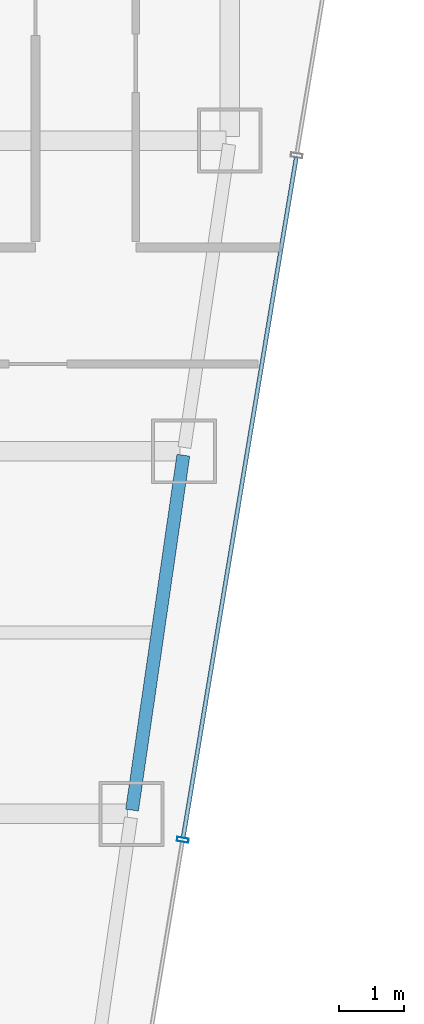
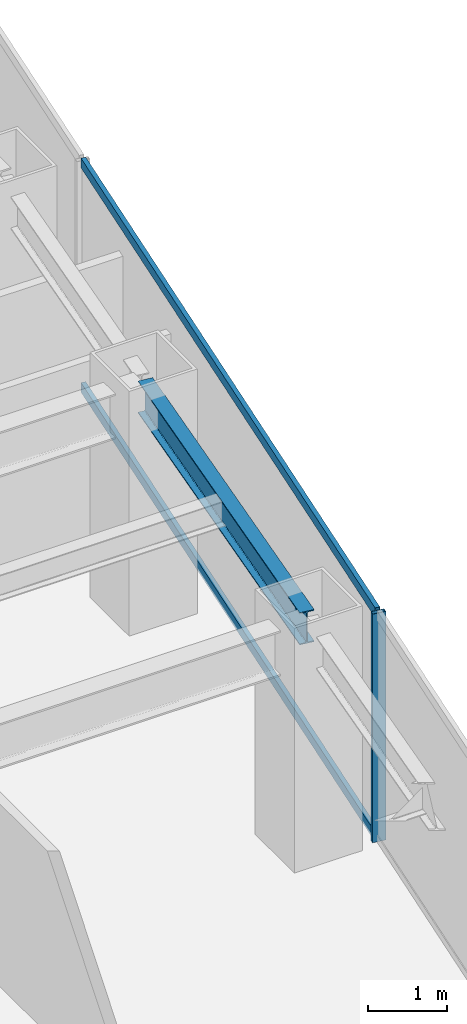
# One storey, part 19 of 38: 3 members, 1 beam, 1 element without a shape of its own.
"""IFC4 building model written with IfcOpenShell, lengths in metres."""

import ifcopenshell
import ifcopenshell.guid

model = None  # the IFC model being written
_history = None  # IfcOwnerHistory: only IFC2X3 demands one
_inside = {}  # id of a spatial element -> (the spatial element, [elements in it])
_under = {}  # id of a project, library or spatial element -> (it, [spatial elements below it])
_declared = {}  # id of a project -> (the project, [libraries it declares])
_typed = {}  # id of a type object -> (the type object, [elements of that type])
_made_of = {}  # id of a material, layer set ... -> (it, [elements and type objects made of it])


def new_model(schema):
    """Start an empty IFC model of exactly this schema.

    Asked for "IFC4X3", IfcOpenShell would pick the latest addendum, in which some entities
    have other attributes; the version numbers below select the first issue.
    IFC2X3 requires an IfcOwnerHistory on every rooted entity: one is made here for all.
    """
    global model, _history
    if schema == "IFC4X3":
        model = ifcopenshell.file(schema_version=(4, 3, 0, 0))
    else:
        model = ifcopenshell.file(schema=schema)
    _inside.clear()
    _under.clear()
    _declared.clear()
    _typed.clear()
    _made_of.clear()
    _history = None
    if model.schema == "IFC2X3":
        org = make("IfcOrganization", Name="unknown")
        user = make(
            "IfcPersonAndOrganization",
            ThePerson=make("IfcPerson", FamilyName="unknown"),
            TheOrganization=org,
        )
        app = make(
            "IfcApplication",
            ApplicationDeveloper=org,
            Version="unknown",
            ApplicationFullName="unknown",
            ApplicationIdentifier="unknown",
        )
        _history = make(
            "IfcOwnerHistory",
            OwningUser=user,
            OwningApplication=app,
            ChangeAction="ADDED",
            CreationDate=0,
        )
    return model


def make(cls, **values):
    """One entity of the class cls with the attributes given. An attribute that is None is left unset."""
    return model.create_entity(
        cls, **{name: value for name, value in values.items() if value is not None}
    )


def rooted(cls, **values):
    """An entity with a GlobalId (a new one), such as an element, a storey or a relation."""
    return make(cls, GlobalId=ifcopenshell.guid.new(), OwnerHistory=_history, **values)


def si_unit(unit_type, name, prefix=None):
    """IfcSIUnit, for example si_unit("LENGTHUNIT", "METRE", prefix="MILLI")."""
    return make("IfcSIUnit", UnitType=unit_type, Prefix=prefix, Name=name)


def assignment(units):
    """IfcUnitAssignment: the units of a project."""
    return None if units is None else make("IfcUnitAssignment", Units=units)


def point(xyz):
    """IfcCartesianPoint."""
    return None if xyz is None else make("IfcCartesianPoint", Coordinates=xyz)


def direction(xyz):
    """IfcDirection."""
    return None if xyz is None else make("IfcDirection", DirectionRatios=xyz)


def frame(location, z_axis=None, x_axis=None):
    """IfcAxis2Placement3D, a coordinate frame: its origin and axes. An axis left out is left unset."""
    return make(
        "IfcAxis2Placement3D",
        Location=point(location),
        Axis=direction(z_axis),
        RefDirection=direction(x_axis),
    )


def frame_2d(location, x_axis=None):
    """IfcAxis2Placement2D, a coordinate frame in the plane: its origin and x axis."""
    return make(
        "IfcAxis2Placement2D", Location=point(location), RefDirection=direction(x_axis)
    )


def origin():
    """The frame at (0, 0, 0) with its axes left unset."""
    return frame((0.0, 0.0, 0.0))


def origin_2d():
    """The frame at (0, 0) in the plane with its x axis left unset."""
    return frame_2d((0.0, 0.0))


def place(relative_to, where):
    """IfcLocalPlacement: puts the frame where relative to a parent placement (None: the world)."""
    return make(
        "IfcLocalPlacement", PlacementRelTo=relative_to, RelativePlacement=where
    )


def context(
    kind, dimensions, precision=None, world=None, true_north=None, identifier=None
):
    """IfcGeometricRepresentationContext, for example the 3D "Model" context."""
    return make(
        "IfcGeometricRepresentationContext",
        ContextIdentifier=identifier,
        ContextType=kind,
        CoordinateSpaceDimension=dimensions,
        Precision=precision,
        WorldCoordinateSystem=world,
        TrueNorth=true_north,
    )


def subcontext(parent, identifier, kind, view, scale=None):
    """IfcGeometricRepresentationSubContext, for example "Body" below "Model"."""
    return make(
        "IfcGeometricRepresentationSubContext",
        ContextIdentifier=identifier,
        ContextType=kind,
        ParentContext=parent,
        TargetScale=scale,
        TargetView=view,
    )


def project(units=None, contexts=None):
    """IfcProject with its units and contexts."""
    return rooted(
        "IfcProject",
        Name="project",
        RepresentationContexts=contexts,
        UnitsInContext=assignment(units),
    )


def spatial(cls, under=None, at=None, **own):
    """A site, building, storey or space (cls), placed at a placement, below another one or the project."""
    s = rooted(cls, ObjectPlacement=at, **own)
    if under is not None:
        _under.setdefault(under.id(), (under, []))[1].append(s)
    return s


def profile(cls, at=None, kind="AREA", **sizes):
    """A parametric profile (cls). Its sizes go by their IFC names, for example OverallWidth=200.0."""
    return make(cls, ProfileType=kind, Position=at, **sizes)


def hollow_rectangle(**sizes):
    """IfcRectangleHollowProfileDef."""
    return profile("IfcRectangleHollowProfileDef", **sizes)


def i_section(**sizes):
    """IfcIShapeProfileDef."""
    return profile("IfcIShapeProfileDef", **sizes)


def extrude(swept, where, along, depth):
    """IfcExtrudedAreaSolid: the profile swept, set in the frame where, extruded along a direction by depth."""
    return make(
        "IfcExtrudedAreaSolid",
        SweptArea=swept,
        Position=where,
        ExtrudedDirection=direction(along),
        Depth=depth,
    )


def shape(context_of_items, identifier, shape_type, items):
    """IfcShapeRepresentation: the items that make up one representation, for example the "Body"."""
    return make(
        "IfcShapeRepresentation",
        ContextOfItems=context_of_items,
        RepresentationIdentifier=identifier,
        RepresentationType=shape_type,
        Items=items,
    )


def material(Name=None, Category=None):
    """IfcMaterial."""
    return make("IfcMaterial", Name=Name, Category=Category)


def material_profile(
    of_material, cross_section, Name=None, Category=None, Priority=None
):
    """IfcMaterialProfile: a cross section and its material."""
    return make(
        "IfcMaterialProfile",
        Name=Name,
        Material=of_material,
        Profile=cross_section,
        Priority=Priority,
        Category=Category,
    )


def profile_set(profiles, Name=None, composite=None):
    """IfcMaterialProfileSet."""
    return make(
        "IfcMaterialProfileSet",
        Name=Name,
        MaterialProfiles=profiles,
        CompositeProfile=composite,
    )


def made_of(thing, what):
    """Note that an element or type object is made of a material, layer set ...; save() writes the relation."""
    if what is not None:
        _made_of.setdefault(what.id(), (what, []))[1].append(thing)
    return thing


def type_object(cls, material=None, **own):
    """A type object (cls), such as IfcWallType, which elements share."""
    return made_of(rooted(cls, **own), material)


def element(
    cls,
    number,
    at=None,
    inside=None,
    cuts=None,
    type_object=None,
    material=None,
    context=None,
    identifier="Body",
    shape_type=None,
    held_by="IfcProductDefinitionShape",
    body=None,
    shapes=None,
    **own,
):
    """One element of the class cls, such as IfcWall. Its Tag is "e" and its number.

    at: its placement. inside: the storey or other place that contains it. cuts: it is an
    opening in that element (IfcRelVoidsElement). A single representation is given by context,
    identifier, shape_type and body (its items); several are given by shapes. held_by: the class
    of the entity that holds the representations. save() writes the other relations.
    """
    e = rooted(cls, Tag="e%d" % number, ObjectPlacement=at, **own)
    if body is not None:
        shapes = [shape(context, identifier, shape_type, body)]
    if shapes is not None:
        e.Representation = make(held_by, Representations=shapes)
    if inside is not None:
        _inside.setdefault(inside.id(), (inside, []))[1].append(e)
    if cuts is not None:
        rooted(
            "IfcRelVoidsElement", RelatingBuildingElement=cuts, RelatedOpeningElement=e
        )
    if type_object is not None:
        _typed.setdefault(type_object.id(), (type_object, []))[1].append(e)
    return made_of(e, material)


def aggregate(whole, parts):
    """IfcRelAggregates: a whole, such as a stair, and the parts it consists of."""
    return rooted("IfcRelAggregates", RelatingObject=whole, RelatedObjects=parts)


def save(model, path):
    """Write the relations noted so far, then the file.

    IfcRelAggregates (storeys below a building ...), IfcRelContainedInSpatialStructure (elements
    in a storey), IfcRelDefinesByType, IfcRelAssociatesMaterial and IfcRelDeclares: one each for
    every whole, place, type object, material and project.
    """
    for whole, parts in _under.values():
        aggregate(whole, parts)
    for where, things in _inside.values():
        rooted(
            "IfcRelContainedInSpatialStructure",
            RelatedElements=things,
            RelatingStructure=where,
        )
    for kind, things in _typed.values():
        rooted("IfcRelDefinesByType", RelatedObjects=things, RelatingType=kind)
    for what, things in _made_of.values():
        rooted("IfcRelAssociatesMaterial", RelatedObjects=things, RelatingMaterial=what)
    for by, libraries in _declared.values():
        rooted("IfcRelDeclares", RelatingContext=by, RelatedDefinitions=libraries)
    model.write(path)


model = new_model("IFC4")

# Units and contexts
model_context = context("Model", 3, precision=1e-05, world=origin(), true_north=direction((0.0, 1.0)))
body_context = subcontext(model_context, "Body", "Model", "MODEL_VIEW")
ifc_project = project(units=[si_unit("LENGTHUNIT", "METRE"), si_unit("AREAUNIT", "SQUARE_METRE"), si_unit("VOLUMEUNIT", "CUBIC_METRE"), si_unit("PLANEANGLEUNIT", "RADIAN"), si_unit("MASSUNIT", "GRAM", prefix="KILO")], contexts=[model_context])

# Site, building, storey
site_placement = place(None, origin())
site = spatial("IfcSite", under=ifc_project, at=site_placement, CompositionType="ELEMENT")
building_placement = place(site_placement, origin())
building = spatial("IfcBuilding", under=site, at=building_placement, Name="Saevonmaru Cultural Tower", CompositionType="ELEMENT")
storey_placement = place(building_placement, frame((0.0, 0.0, 133.39990234375)))
storey = spatial("IfcBuildingStorey", under=building, at=storey_placement, Name="L28", CompositionType="ELEMENT", Elevation=133.39990234375)

# Beam
ifc_material_1 = material(Name="Steel SM355", Category="steel")
ifc_material_profile_1 = material_profile(ifc_material_1, i_section(OverallWidth=0.199951171875, OverallDepth=0.5, WebThickness=0.010009765625, FlangeThickness=0.01611328125, FilletRadius=0.02001953125, at=origin_2d()), Name="H-500x200x10x16")
ifc_profile_set_1 = profile_set([ifc_material_profile_1], Name="Steel SM355")
beam_type = type_object("IfcBeamType", Name="BM-SP-H500", PredefinedType="SPANDREL", material=ifc_profile_set_1)
beam_placement = place(storey_placement, frame((51.691650390625, 32.059326171875, 3.300048828125), z_axis=(0.142964121327, 0.989727871697, 0.0), x_axis=(-0.989727871697, 0.142964121327, 0.0)))
element("IfcBeam", 1, at=beam_placement, inside=storey, type_object=beam_type, Name="L28 East Splayed Spandrel 4", PredefinedType="SPANDREL", context=body_context, shape_type="SweptSolid", body=[
    extrude(i_section(OverallWidth=0.199951171875, OverallDepth=0.5, WebThickness=0.010009765625, FlangeThickness=0.01611328125, FilletRadius=0.02001953125, at=origin_2d()), origin(), (0.0, 0.0, 1.0), 5.5380859375),
])

# Curtain wall, members
ifc_material_2 = material(Name="Satin Bronze Anodised Aluminium", Category="aluminium")
curtain_wall_type = type_object("IfcCurtainWallType", Name="CW-TYP-A", PredefinedType="NOTDEFINED", material=ifc_material_2)
curtain_wall_placement = place(storey_placement, origin())
curtain_wall = element("IfcCurtainWall", 2, at=curtain_wall_placement, inside=storey, type_object=curtain_wall_type, Name="L28 Unitised Curtain Wall E8", PredefinedType="NOTDEFINED")
ifc_material_profile_2 = material_profile(ifc_material_2, hollow_rectangle(XDim=0.06494140625, YDim=0.179931640625, WallThickness=0.00390625, at=origin_2d()), Name="ALU-MULL-180x65x4")
ifc_profile_set_2 = profile_set([ifc_material_profile_2], Name="Satin Bronze Anodised Aluminium")
member_type_1 = type_object("IfcMemberType", Name="ML-CW-180x65", PredefinedType="MULLION", material=ifc_profile_set_2)
member_1_placement = place(storey_placement, frame((52.4755859375, 31.60009765625, 0.0), z_axis=(0.0, 0.0, 1.0), x_axis=(0.163998702345, 0.986460554523, 0.0)))
member_1 = element("IfcMember", 3, at=member_1_placement, type_object=member_type_1, Name="CW-TW-L28-E8 mullion 3", PredefinedType="MULLION", context=body_context, shape_type="SweptSolid", body=[
    extrude(hollow_rectangle(XDim=0.06494140625, YDim=0.179931640625, WallThickness=0.00390625, at=origin_2d()), origin(), (0.0, 0.0, 1.0), 3.550048828125),
])
ifc_material_profile_3 = material_profile(ifc_material_2, hollow_rectangle(XDim=0.06494140625, YDim=0.14990234375, WallThickness=0.00390625, at=origin_2d()), Name="ALU-TRAN-150x65x4")
ifc_profile_set_3 = profile_set([ifc_material_profile_3], Name="Satin Bronze Anodised Aluminium")
member_type_2 = type_object("IfcMemberType", Name="TR-CW-150x65", PredefinedType="USERDEFINED", material=ifc_profile_set_3)
member_2_placement = place(storey_placement, frame((52.48095703125, 31.632080078125, 0.03271484375), z_axis=(0.163990079074, 0.9864619881, 0.0), x_axis=(-0.9864619881, 0.163990079074, 0.0)))
member_2 = element("IfcMember", 4, at=member_2_placement, type_object=member_type_2, Name="CW-TW-L28-E8 transom 3.1", ObjectType="TRANSOM", PredefinedType="USERDEFINED", context=body_context, shape_type="SweptSolid", body=[
    extrude(hollow_rectangle(XDim=0.06494140625, YDim=0.14990234375, WallThickness=0.00390625, at=origin_2d()), origin(), (0.0, 0.0, 1.0), 10.650634765625),
])
member_3_placement = place(storey_placement, frame((52.48095703125, 31.632080078125, 3.517578125), z_axis=(0.163990079074, 0.9864619881, 0.0), x_axis=(-0.9864619881, 0.163990079074, 0.0)))
member_3 = element("IfcMember", 5, at=member_3_placement, type_object=member_type_2, Name="CW-TW-L28-E8 transom 3.2", ObjectType="TRANSOM", PredefinedType="USERDEFINED", context=body_context, shape_type="SweptSolid", body=[
    extrude(hollow_rectangle(XDim=0.06494140625, YDim=0.14990234375, WallThickness=0.00390625, at=origin_2d()), origin(), (0.0, 0.0, 1.0), 10.650634765625),
])
aggregate(curtain_wall, [member_1, member_2, member_3])

save(model, "model.ifc")
